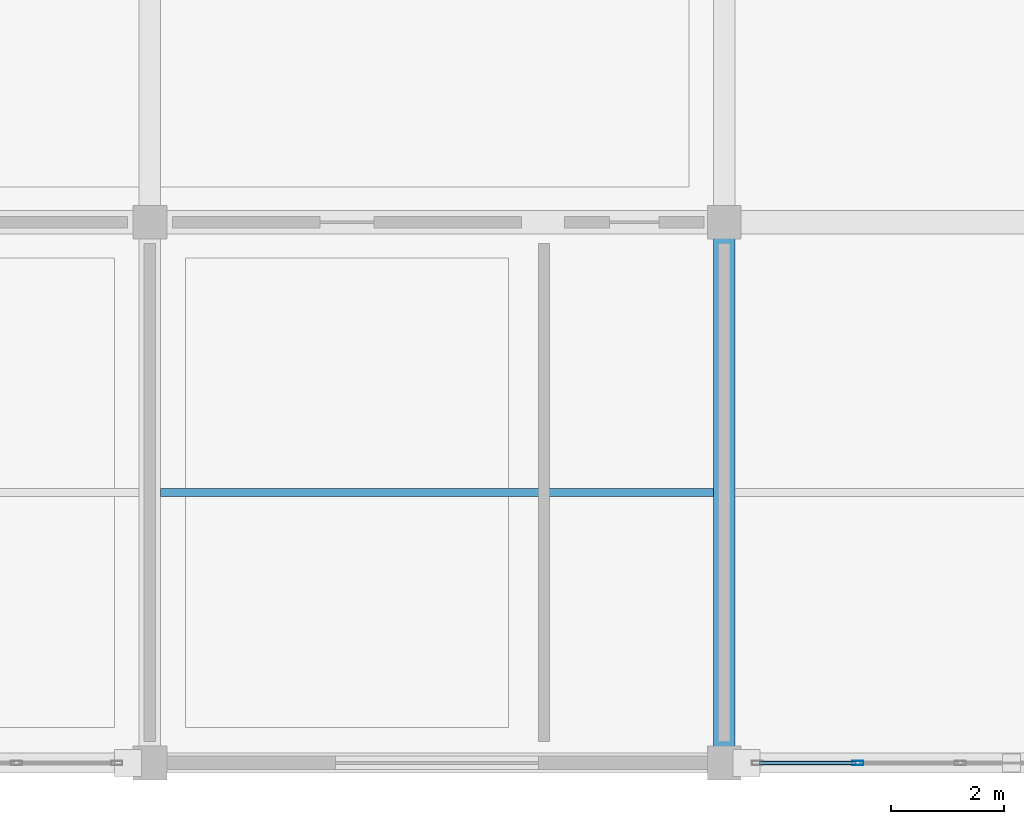
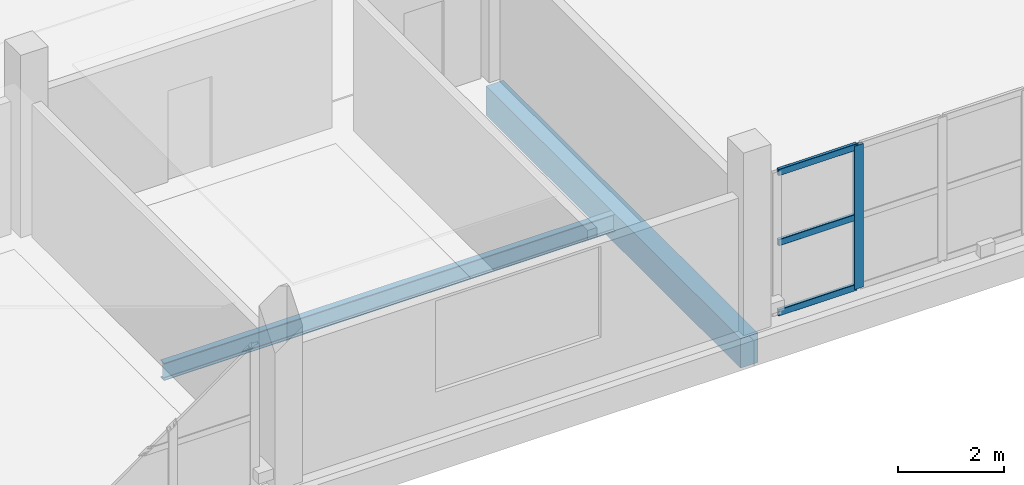
# One storey, part 9 of 24: 4 members, 2 beams, 1 element without a shape of its own.
"""IFC4 building model written with IfcOpenShell, lengths in metres."""

from ifc_helpers import new_model, si_unit, direction, frame, origin, origin_2d, place, context, subcontext, project, spatial, rectangle, hollow_rectangle, i_section, extrude, material, material_profile, profile_set, type_object, element, aggregate, save


model = new_model("IFC4")

# Units and contexts
model_context = context("Model", 3, precision=1e-05, world=origin(), true_north=direction((0.0, 1.0)))
body_context = subcontext(model_context, "Body", "Model", "MODEL_VIEW")
ifc_project = project(units=[si_unit("LENGTHUNIT", "METRE"), si_unit("AREAUNIT", "SQUARE_METRE"), si_unit("VOLUMEUNIT", "CUBIC_METRE"), si_unit("PLANEANGLEUNIT", "RADIAN"), si_unit("MASSUNIT", "GRAM", prefix="KILO")], contexts=[model_context])

# Site, building, storey
site_placement = place(None, origin())
site = spatial("IfcSite", under=ifc_project, at=site_placement, CompositionType="ELEMENT")
building_placement = place(site_placement, origin())
building = spatial("IfcBuilding", under=site, at=building_placement, Name="Brelvane Convention Centre", CompositionType="ELEMENT")
storey_placement = place(building_placement, frame((0.0, 0.0, 19.199951171875)))
storey = spatial("IfcBuildingStorey", under=building, at=storey_placement, Name="L04", CompositionType="ELEMENT", Elevation=19.199951171875)

# Curtain wall, members
ifc_material_1 = material(Name="Anodised Aluminium Alloy 6063-T6", Category="aluminium")
curtain_wall_type = type_object("IfcCurtainWallType", Name="Curtain Wall CW-COURT", PredefinedType="USERDEFINED", material=ifc_material_1)
curtain_wall_placement = place(storey_placement, origin())
curtain_wall = element("IfcCurtainWall", 1, at=curtain_wall_placement, inside=storey, type_object=curtain_wall_type, Name="Curtain Wall CW-COURT L04-V4S-07", ObjectType="UNITISED", PredefinedType="USERDEFINED")
ifc_material_2 = material(Name="Anodised Aluminium Alloy 6063-T6", Category="aluminium")
ifc_material_profile_1 = material_profile(ifc_material_2, hollow_rectangle(XDim=0.074951171875, YDim=0.199951171875, WallThickness=0.0048828125, InnerFilletRadius=0.0048828125, OuterFilletRadius=0.010009765625, at=origin_2d()), Name="ALU-M 200x75x5.0")
ifc_profile_set_1 = profile_set([ifc_material_profile_1], Name="Anodised Aluminium Alloy 6063-T6")
member_type_1 = type_object("IfcMemberType", Name="Curtain Mullion CW-M2", PredefinedType="MULLION", material=ifc_profile_set_1)
member_1_placement = place(storey_placement, frame((63.570068359375, 109.199951171875, 0.0), z_axis=(0.0, 0.0, 1.0), x_axis=(0.0, 1.0, 0.0)))
member_1 = element("IfcMember", 2, at=member_1_placement, type_object=member_type_1, Name="CW-COURT mullion 2", PredefinedType="MULLION", context=body_context, shape_type="SweptSolid", body=[
    extrude(hollow_rectangle(XDim=0.074951171875, YDim=0.199951171875, WallThickness=0.0048828125, InnerFilletRadius=0.0048828125, OuterFilletRadius=0.010009765625, at=origin_2d()), origin(), (0.0, 0.0, 1.0), 3.300048828125),
])
ifc_material_3 = material(Name="Anodised Aluminium Alloy 6063-T6", Category="aluminium")
ifc_material_profile_2 = material_profile(ifc_material_3, hollow_rectangle(XDim=0.070068359375, YDim=0.14990234375, WallThickness=0.00439453125, InnerFilletRadius=0.00439453125, OuterFilletRadius=0.009033203125, at=origin_2d()), Name="ALU-T 150x70x4.5")
ifc_profile_set_2 = profile_set([ifc_material_profile_2], Name="Anodised Aluminium Alloy 6063-T6")
member_type_2 = type_object("IfcMemberType", Name="Curtain Transom CW-T2", PredefinedType="USERDEFINED", material=ifc_profile_set_2)
member_2_placement = place(storey_placement, frame((61.824951171875, 109.199951171875, 0.03515625), z_axis=(1.0, 0.0, 0.0), x_axis=(0.0, 1.0, 0.0)))
member_2 = element("IfcMember", 3, at=member_2_placement, type_object=member_type_2, Name="CW-COURT transom 1.1", ObjectType="TRANSOM", PredefinedType="USERDEFINED", context=body_context, shape_type="SweptSolid", body=[
    extrude(hollow_rectangle(XDim=0.070068359375, YDim=0.14990234375, WallThickness=0.00439453125, InnerFilletRadius=0.00439453125, OuterFilletRadius=0.009033203125, at=origin_2d()), origin(), (0.0, 0.0, 1.0), 1.70751953125),
])
member_3_placement = place(storey_placement, frame((61.824951171875, 109.199951171875, 1.650146484375), z_axis=(1.0, 0.0, 0.0), x_axis=(0.0, 1.0, 0.0)))
member_3 = element("IfcMember", 4, at=member_3_placement, type_object=member_type_2, Name="CW-COURT transom 1.2", ObjectType="TRANSOM", PredefinedType="USERDEFINED", context=body_context, shape_type="SweptSolid", body=[
    extrude(hollow_rectangle(XDim=0.070068359375, YDim=0.14990234375, WallThickness=0.00439453125, InnerFilletRadius=0.00439453125, OuterFilletRadius=0.009033203125, at=origin_2d()), origin(), (0.0, 0.0, 1.0), 1.70751953125),
])
member_4_placement = place(storey_placement, frame((61.824951171875, 109.199951171875, 3.26513671875), z_axis=(1.0, 0.0, 0.0), x_axis=(0.0, 1.0, 0.0)))
member_4 = element("IfcMember", 5, at=member_4_placement, type_object=member_type_2, Name="CW-COURT transom 1.3", ObjectType="TRANSOM", PredefinedType="USERDEFINED", context=body_context, shape_type="SweptSolid", body=[
    extrude(hollow_rectangle(XDim=0.070068359375, YDim=0.14990234375, WallThickness=0.00439453125, InnerFilletRadius=0.00439453125, OuterFilletRadius=0.009033203125, at=origin_2d()), origin(), (0.0, 0.0, 1.0), 1.70751953125),
])
aggregate(curtain_wall, [member_1, member_2, member_3, member_4])

# Beams
ifc_material_4 = material(Name="Concrete M40", Category="concrete")
ifc_material_profile_3 = material_profile(ifc_material_4, rectangle(XDim=0.3798828125, YDim=0.679931640625, at=origin_2d()), Name="RC 380x680")
ifc_profile_set_3 = profile_set([ifc_material_profile_3], Name="Concrete M40")
beam_type_1 = type_object("IfcBeamType", Name="RC Beam B-RC14 (RC 380x680)", PredefinedType="BEAM", material=ifc_profile_set_3)
beam_1_placement = place(storey_placement, frame((61.199951171875, 109.199951171875, -0.6298828125), z_axis=(0.0, 1.0, 0.0), x_axis=(-1.0, 0.0, 0.0)))
element("IfcBeam", 6, at=beam_1_placement, inside=storey, type_object=beam_type_1, Name="L04 Girder 7/L-M", PredefinedType="BEAM", context=body_context, shape_type="SweptSolid", body=[
    extrude(rectangle(XDim=0.3798828125, YDim=0.679931640625, at=origin_2d()), origin(), (0.0, 0.0, 1.0), 9.60009765625),
])
ifc_material_5 = material(Name="Steel E350 (350 MPa)", Category="steel")
ifc_material_profile_4 = material_profile(ifc_material_5, i_section(OverallWidth=0.139892578125, OverallDepth=0.39990234375, WebThickness=0.0087890625, FlangeThickness=0.01611328125, FilletRadius=0.013916015625, at=origin_2d()), Name="ISMB 400")
ifc_profile_set_4 = profile_set([ifc_material_profile_4], Name="Steel E350 (350 MPa)")
beam_type_2 = type_object("IfcBeamType", Name="Steel Joist J-ST1 (ISMB 400)", PredefinedType="JOIST", material=ifc_profile_set_4)
beam_2_placement = place(storey_placement, frame((51.18994140625, 114.0, -0.489990234375), z_axis=(1.0, 0.0, 0.0), x_axis=(0.0, 1.0, 0.0)))
element("IfcBeam", 7, at=beam_2_placement, inside=storey, type_object=beam_type_2, Name="L04 Secondary Joist 6-7/LM", PredefinedType="JOIST", context=body_context, shape_type="SweptSolid", body=[
    extrude(i_section(OverallWidth=0.139892578125, OverallDepth=0.39990234375, WebThickness=0.0087890625, FlangeThickness=0.01611328125, FilletRadius=0.013916015625, at=origin_2d()), origin(), (0.0, 0.0, 1.0), 9.820068359375),
])

save(model, "model.ifc")
